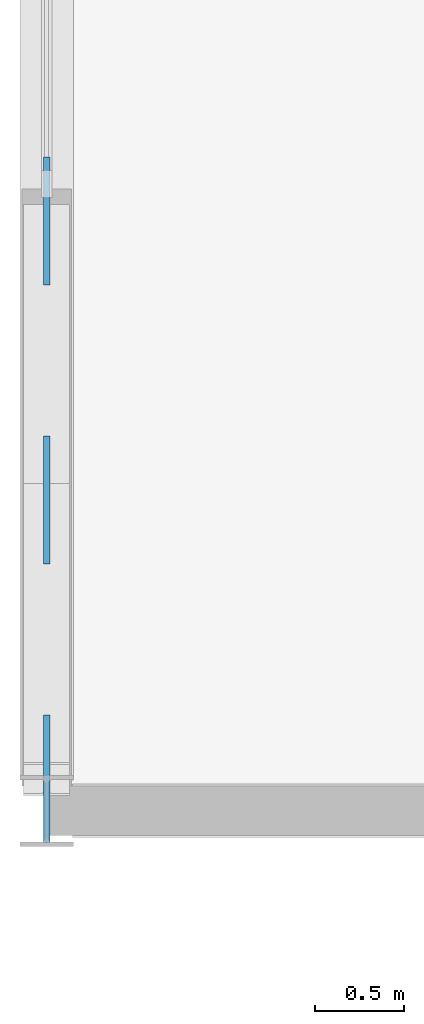
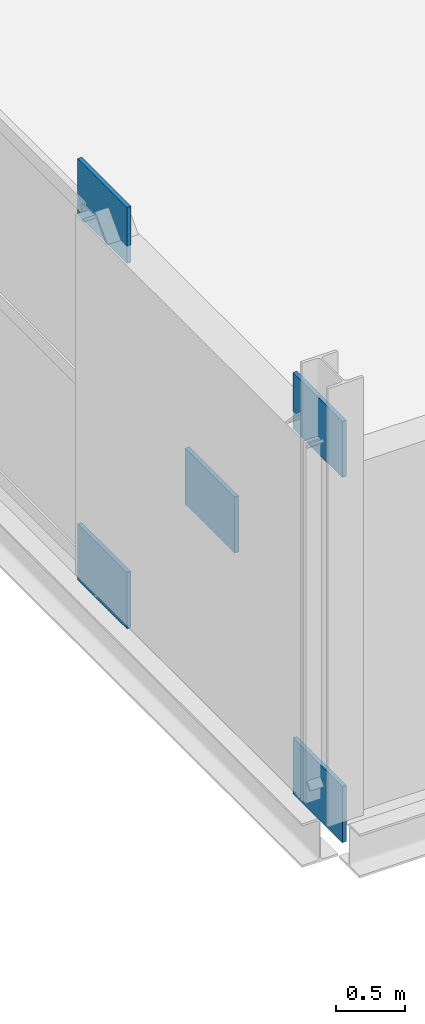
# One storey, part 27 of 36: 5 plates.
"""IFC4 building model written with IfcOpenShell, lengths in metres."""

from ifc_helpers import new_model, si_unit, direction, frame, origin, origin_2d, place, context, subcontext, project, spatial, rectangle, extrude, material, layer, layer_set, type_object, element, save


model = new_model("IFC4")

# Units and contexts
model_context = context("Model", 3, precision=1e-05, world=origin(), true_north=direction((0.0, 1.0)))
body_context = subcontext(model_context, "Body", "Model", "MODEL_VIEW")
ifc_project = project(units=[si_unit("LENGTHUNIT", "METRE"), si_unit("AREAUNIT", "SQUARE_METRE"), si_unit("VOLUMEUNIT", "CUBIC_METRE"), si_unit("PLANEANGLEUNIT", "RADIAN"), si_unit("MASSUNIT", "GRAM", prefix="KILO")], contexts=[model_context])

# Site, building, storey
site_placement = place(None, origin())
site = spatial("IfcSite", under=ifc_project, at=site_placement, CompositionType="ELEMENT")
building_placement = place(site_placement, origin())
building = spatial("IfcBuilding", under=site, at=building_placement, Name="Kimbaza Rail Terminus", CompositionType="ELEMENT")
storey_placement = place(building_placement, frame((0.0, 0.0, 21.0)))
storey = spatial("IfcBuildingStorey", under=building, at=storey_placement, Name="L04", CompositionType="ELEMENT", Elevation=21.0)

# Plates
ifc_material = material(Name="Steel S355", Category="steel")
ifc_layer = layer(ifc_material, 0.034912109375)
ifc_layer_set = layer_set([ifc_layer], Name="Steel S355")
plate_type = type_object("IfcPlateType", Name="STR-PL-WT01", PredefinedType="USERDEFINED", material=ifc_layer_set)
for number, where, z_axis, x_axis, name in (
    (1, (55.199951171875, 103.179931640625, -0.199951171875), (0.0, 0.0, 1.0), (1.0, 0.0, 0.0), "X-Brace Gusset Plate GP-01 1-SB"),
    (2, (55.199951171875, 103.179931640625, 3.050048828125), (0.0, 0.0, 1.0), (1.0, 0.0, 0.0), "X-Brace Gusset Plate GP-01 1-ST"),
    (3, (55.199951171875, 106.320068359375, -0.199951171875), (0.0, 0.0, 1.0), (1.0, 0.0, 0.0), "X-Brace Gusset Plate GP-01 1-NB"),
    (4, (55.199951171875, 106.320068359375, 3.050048828125), (0.0, 0.0, 1.0), (1.0, 0.0, 0.0), "X-Brace Gusset Plate GP-01 1-NT"),
    (5, (55.199951171875, 104.75, 1.425048828125), (0.0, 0.0, 1.0), (1.0, 0.0, 0.0), "X-Brace Gusset Plate GP-01 1-C"),
):
    element("IfcPlate", number, at=place(storey_placement, frame(where, z_axis=z_axis, x_axis=x_axis)), inside=storey, type_object=plate_type, Name=name, ObjectType="GUSSET PLATE", PredefinedType="USERDEFINED", context=body_context, shape_type="SweptSolid", body=[
        extrude(rectangle(XDim=0.034912109375, YDim=0.719970703125, at=origin_2d()), origin(), (0.0, 0.0, 1.0), 0.5),
    ])

save(model, "model.ifc")
